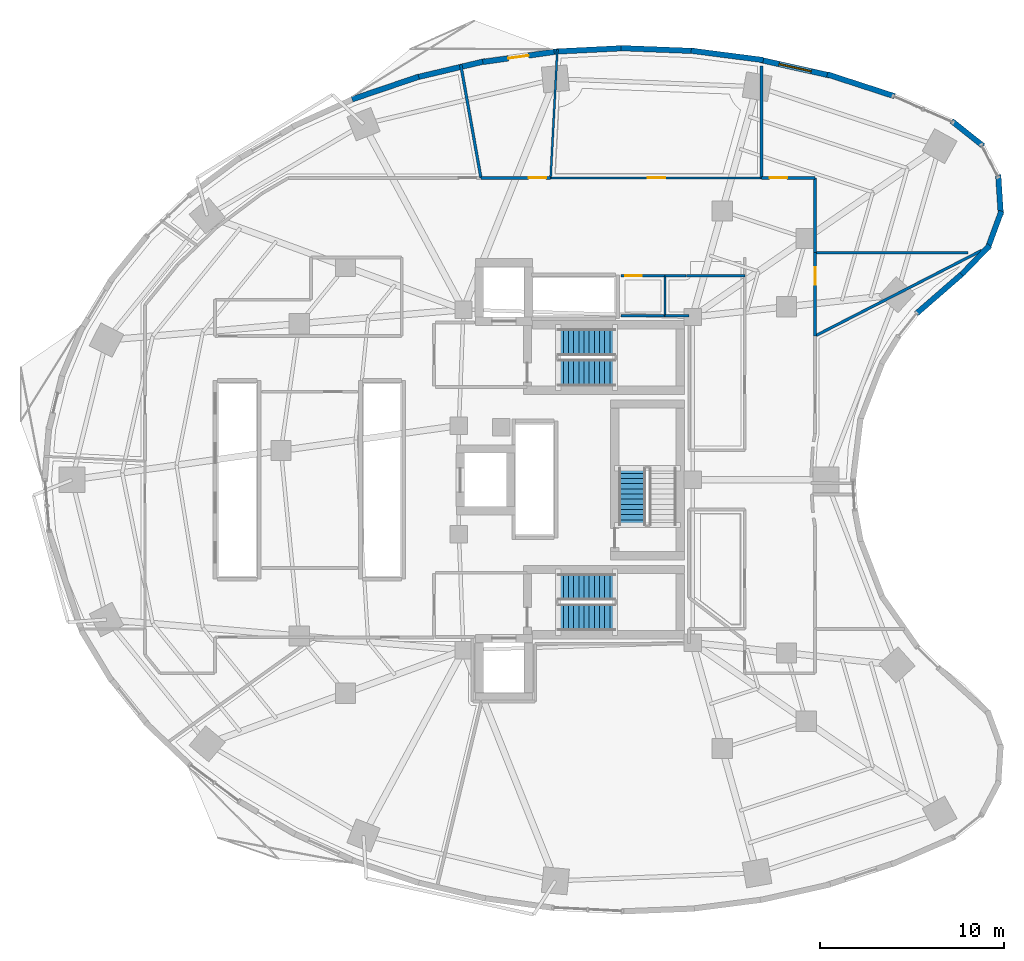
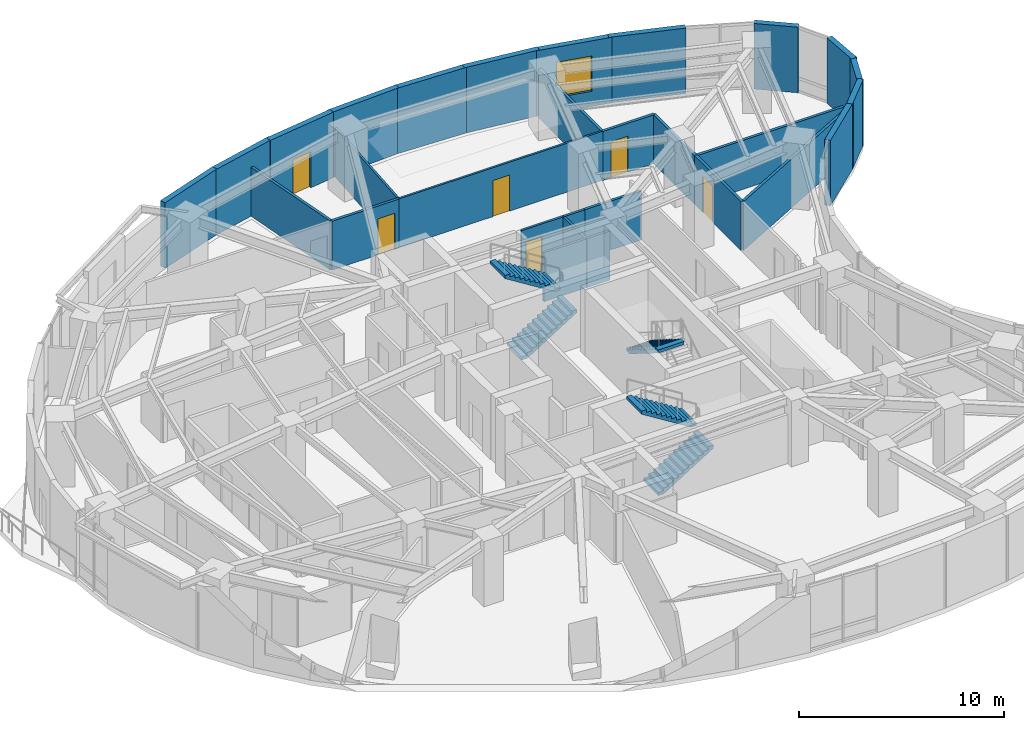
# One storey, part 11 of 15: 29 walls, 6 doors, 5 stair flights, 1 window, 7 openings, 3 elements without a shape of their own.
"""IFC4 building model written with IfcOpenShell, lengths in metres."""

from ifc_helpers import new_model, si_unit, direction, frame, frame_2d, origin, place, context, subcontext, project, spatial, polyline, rectangle, outline, extrude, material, layer, layer_set, type_object, element, fill, aggregate, save


model = new_model("IFC4")

# Units and contexts
model_context = context("Model", 3, precision=1e-05, world=origin(), true_north=direction((0.0, 1.0)))
body_context = subcontext(model_context, "Body", "Model", "MODEL_VIEW")
ifc_project = project(units=[si_unit("LENGTHUNIT", "METRE"), si_unit("AREAUNIT", "SQUARE_METRE"), si_unit("VOLUMEUNIT", "CUBIC_METRE"), si_unit("PLANEANGLEUNIT", "RADIAN"), si_unit("MASSUNIT", "GRAM", prefix="KILO")], contexts=[model_context])

# Site, building, storey
site_placement = place(None, origin())
site = spatial("IfcSite", under=ifc_project, at=site_placement, CompositionType="ELEMENT")
building_placement = place(site_placement, origin())
building = spatial("IfcBuilding", under=site, at=building_placement, Name="Korentha Bioscience Tower", CompositionType="ELEMENT")
storey_placement = place(building_placement, frame((0.0, 0.0, 34.199951171875)))
storey = spatial("IfcBuildingStorey", under=building, at=storey_placement, Name="L07", CompositionType="ELEMENT", Elevation=34.199951171875)

# Wall, opening, door
ifc_material_1 = material(Name="Double-Stud Acoustic Gypsum", Category="gypsum")
ifc_layer_1 = layer(ifc_material_1, 0.14990234375, Name="Double-Stud Acoustic Gypsum")
ifc_layer_set_1 = layer_set([ifc_layer_1], Name="Double-Stud Acoustic Gypsum (IW-L150)")
wall_type_1 = type_object("IfcWallType", Name="Acoustic Laboratory Partition Wall 150", PredefinedType="PARTITIONING", material=ifc_layer_set_1)
wall_1_placement = place(storey_placement, frame((44.2099609375, 34.829833984375, 0.0), z_axis=(0.0, 0.0, 1.0), x_axis=(0.0, 1.0, 0.0)))
wall_1 = element("IfcWall", 1, at=wall_1_placement, inside=storey, type_object=wall_type_1, Name="L07 Robotic Liquid-Handling Suite 09 Entrance Wall", PredefinedType="PARTITIONING", context=body_context, shape_type="SweptSolid", body=[
    extrude(rectangle(XDim=4.51806640625, YDim=0.14990234375, at=frame_2d((2.259033203125, 0.0))), origin(), (0.0, 0.0, 1.0), 2.91015625),
])
opening_1_placement = place(wall_1_placement, frame((2.77734375, 0.0, 0.0)))
opening_1 = element("IfcOpeningElement", 2, at=opening_1_placement, cuts=wall_1, Name="Opening ID-10L", PredefinedType="OPENING", context=body_context, shape_type="SweptSolid", body=[
    extrude(rectangle(XDim=0.949951171875, YDim=2.14990234375, at=frame_2d((0.47509765625, 1.074951171875))), frame((0.0, 0.08984375, 0.0), z_axis=(0.0, -1.0, 0.0), x_axis=(1.0, 0.0, 0.0)), (0.0, 0.0, 1.0), 0.1796875),
])
ifc_material_2 = material(Name="Phenolic Laminate Timber Core", Category="wood")
door_type_1 = type_object("IfcDoorType", Name="Laboratory Single Leaf Door 950x2150 Left", OperationType="SINGLE_SWING_LEFT", PredefinedType="DOOR", material=ifc_material_2)
door_1_placement = place(opening_1_placement, origin())
door_1 = element("IfcDoor", 3, at=door_1_placement, inside=storey, type_object=door_type_1, Name="L07 Robotic Liquid-Handling Suite 09 Door", OperationType="SINGLE_SWING_LEFT", OverallHeight=2.14990234375, OverallWidth=0.949951171875, PredefinedType="DOOR", context=body_context, shape_type="SweptSolid", body=[
    extrude(rectangle(XDim=0.949951171875, YDim=2.14990234375, at=frame_2d((0.47509765625, 1.074951171875))), frame((0.0, 0.02490234375, 0.0), z_axis=(0.0, -1.0, 0.0), x_axis=(1.0, 0.0, 0.0)), (0.0, 0.0, 1.0), 0.050048828125),
])
fill(opening_1, door_1)

wall_2_placement = place(storey_placement, frame((44.199951171875, 43.409912109375, 0.0), z_axis=(0.0, 0.0, 1.0), x_axis=(-1.0, 0.0, 0.0)))
wall_2 = element("IfcWall", 4, at=wall_2_placement, inside=storey, type_object=wall_type_1, Name="L07 Optical Metrology Darkroom 11 Entrance Wall", PredefinedType="PARTITIONING", context=body_context, shape_type="SweptSolid", body=[
    extrude(rectangle(XDim=2.89794921875, YDim=0.14990234375, at=frame_2d((1.448974609375, 0.0))), origin(), (0.0, 0.0, 1.0), 2.91015625),
])
opening_2_placement = place(wall_2_placement, frame((1.5126953125, 0.0, 0.0)))
opening_2 = element("IfcOpeningElement", 5, at=opening_2_placement, cuts=wall_2, Name="Opening ID-10L", PredefinedType="OPENING", context=body_context, shape_type="SweptSolid", body=[
    extrude(rectangle(XDim=0.949951171875, YDim=2.14990234375, at=frame_2d((0.47509765625, 1.074951171875))), frame((0.0, 0.08984375, 0.0), z_axis=(0.0, -1.0, 0.0), x_axis=(1.0, 0.0, 0.0)), (0.0, 0.0, 1.0), 0.1796875),
])
door_2_placement = place(opening_2_placement, origin())
door_2 = element("IfcDoor", 6, at=door_2_placement, inside=storey, type_object=door_type_1, Name="L07 Optical Metrology Darkroom 11 Door", OperationType="SINGLE_SWING_LEFT", OverallHeight=2.14990234375, OverallWidth=0.949951171875, PredefinedType="DOOR", context=body_context, shape_type="SweptSolid", body=[
    extrude(rectangle(XDim=0.949951171875, YDim=2.14990234375, at=frame_2d((0.47509765625, 1.074951171875))), frame((0.0, 0.02490234375, 0.0), z_axis=(0.0, -1.0, 0.0), x_axis=(1.0, 0.0, 0.0)), (0.0, 0.0, 1.0), 0.050048828125),
])
fill(opening_2, door_2)

wall_3_placement = place(storey_placement, frame((29.82568359375, 43.409912109375, 0.0), z_axis=(0.0, 0.0, 1.0), x_axis=(-1.0, 0.0, 0.0)))
wall_3 = element("IfcWall", 7, at=wall_3_placement, inside=storey, type_object=wall_type_1, Name="L07 Patent and Regulatory Affairs Office 13 Entrance Wall", PredefinedType="PARTITIONING", context=body_context, shape_type="SweptSolid", body=[
    extrude(rectangle(XDim=3.77734375, YDim=0.14990234375, at=frame_2d((1.888671875, 0.0))), origin(), (0.0, 0.0, 1.0), 2.91015625),
])
opening_3_placement = place(wall_3_placement, frame((0.239990234375, 0.0, 0.0)))
opening_3 = element("IfcOpeningElement", 8, at=opening_3_placement, cuts=wall_3, Name="Opening ID-10L", PredefinedType="OPENING", context=body_context, shape_type="SweptSolid", body=[
    extrude(rectangle(XDim=0.949951171875, YDim=2.14990234375, at=frame_2d((0.47509765625, 1.074951171875))), frame((0.0, 0.08984375, 0.0), z_axis=(0.0, -1.0, 0.0), x_axis=(1.0, 0.0, 0.0)), (0.0, 0.0, 1.0), 0.1796875),
])
door_3_placement = place(opening_3_placement, origin())
door_3 = element("IfcDoor", 9, at=door_3_placement, inside=storey, type_object=door_type_1, Name="L07 Patent and Regulatory Affairs Office 13 Door", OperationType="SINGLE_SWING_LEFT", OverallHeight=2.14990234375, OverallWidth=0.949951171875, PredefinedType="DOOR", context=body_context, shape_type="SweptSolid", body=[
    extrude(rectangle(XDim=0.949951171875, YDim=2.14990234375, at=frame_2d((0.47509765625, 1.074951171875))), frame((0.0, 0.02490234375, 0.0), z_axis=(0.0, -1.0, 0.0), x_axis=(1.0, 0.0, 0.0)), (0.0, 0.0, 1.0), 0.050048828125),
])
fill(opening_3, door_3)

# Walls
wall_4_placement = place(storey_placement, frame((44.2099609375, 34.818603515625, 0.0), z_axis=(0.0, 0.0, 1.0), x_axis=(0.889650018361, 0.456643016842, 0.0)))
element("IfcWall", 10, at=wall_4_placement, inside=storey, type_object=wall_type_1, Name="L07 Interior Partition 050", PredefinedType="PARTITIONING", context=body_context, shape_type="SweptSolid", body=[
    extrude(rectangle(XDim=10.17431640625, YDim=0.14990234375, at=frame_2d((5.087158203125, 0.0))), origin(), (0.0, 0.0, 1.0), 2.91015625),
])
wall_5_placement = place(storey_placement, frame((44.2099609375, 39.347900390625, 0.0), z_axis=(0.0, 0.0, 1.0), x_axis=(1.0, 0.0, 0.0)))
element("IfcWall", 11, at=wall_5_placement, inside=storey, type_object=wall_type_1, Name="L07 Interior Partition 051", PredefinedType="PARTITIONING", context=body_context, shape_type="SweptSolid", body=[
    extrude(rectangle(XDim=8.298583984375, YDim=0.14990234375, at=frame_2d((4.1494140625, 0.0))), origin(), (0.0, 0.0, 1.0), 2.91015625),
])
wall_6_placement = place(storey_placement, frame((44.2099609375, 39.35791015625, 0.0), z_axis=(0.0, 0.0, 1.0), x_axis=(0.0, 1.0, 0.0)))
element("IfcWall", 12, at=wall_6_placement, inside=storey, type_object=wall_type_1, Name="L07 Interior Partition 058", PredefinedType="PARTITIONING", context=body_context, shape_type="SweptSolid", body=[
    extrude(rectangle(XDim=4.0419921875, YDim=0.14990234375, at=frame_2d((2.02099609375, 0.0))), origin(), (0.0, 0.0, 1.0), 2.91015625),
])
wall_7_placement = place(storey_placement, frame((41.302001953125, 43.409912109375, 0.0), z_axis=(0.0, 0.0, 1.0), x_axis=(0.0, 1.0, 0.0)))
element("IfcWall", 13, at=wall_7_placement, inside=storey, type_object=wall_type_1, Name="L07 Interior Partition 059", PredefinedType="PARTITIONING", context=body_context, shape_type="SweptSolid", body=[
    extrude(rectangle(XDim=6.0908203125, YDim=0.14990234375, at=frame_2d((3.04541015625, 0.0))), origin(), (0.0, 0.0, 1.0), 2.91015625),
])
wall_8_placement = place(storey_placement, frame((26.04833984375, 43.409912109375, 0.0), z_axis=(0.0, 0.0, 1.0), x_axis=(-0.175605435055, 0.984460629573, 0.0)))
element("IfcWall", 14, at=wall_8_placement, inside=storey, type_object=wall_type_1, Name="L07 Interior Partition 061", PredefinedType="PARTITIONING", context=body_context, shape_type="SweptSolid", body=[
    extrude(rectangle(XDim=6.250732421875, YDim=0.14990234375, at=frame_2d((3.12548828125, 0.0))), origin(), (0.0, 0.0, 1.0), 2.91015625),
])
ifc_material_3 = material(Name="Insulated Aluminium Honeycomb Panel", Category="aluminium")
ifc_layer_2 = layer(ifc_material_3, 0.139892578125, Name="Insulated Aluminium Honeycomb Panel")
ifc_layer_set_2 = layer_set([ifc_layer_2], Name="Insulated Aluminium Honeycomb Panel (IW-F60)")
wall_type_2 = type_object("IfcWallType", Name="Cleanroom Flush Metal Panel Partition 140", PredefinedType="PARTITIONING", material=ifc_layer_set_2)
wall_9_placement = place(storey_placement, frame((36.06005859375, 38.090087890625, 0.0), z_axis=(0.0, 0.0, 1.0), x_axis=(1.0, 0.0, 0.0)))
element("IfcWall", 15, at=wall_9_placement, inside=storey, type_object=wall_type_2, Name="L07 Interior Partition 052", PredefinedType="PARTITIONING", context=body_context, shape_type="SweptSolid", body=[
    extrude(rectangle(XDim=1.139892578125, YDim=0.139892578125, at=frame_2d((0.56982421875, 0.0))), origin(), (0.0, 0.0, 1.0), 2.91015625),
])
wall_10_placement = place(storey_placement, frame((37.2099609375, 38.10009765625, 0.0), z_axis=(0.0, 0.0, 1.0), x_axis=(1.0, 0.0, 0.0)))
element("IfcWall", 16, at=wall_10_placement, inside=storey, type_object=wall_type_2, Name="L07 Interior Partition 054", PredefinedType="PARTITIONING", context=body_context, shape_type="SweptSolid", body=[
    extrude(rectangle(XDim=3.179931640625, YDim=0.139892578125, at=frame_2d((1.58984375, 0.0))), origin(), (0.0, 0.0, 1.0), 2.91015625),
])
wall_11_placement = place(storey_placement, frame((37.35009765625, 35.909912109375, 0.0), z_axis=(0.0, 0.0, 1.0), x_axis=(-1.0, 0.0, 0.0)))
element("IfcWall", 17, at=wall_11_placement, inside=storey, type_object=wall_type_2, Name="L07 Interior Partition 057", PredefinedType="PARTITIONING", context=body_context, shape_type="SweptSolid", body=[
    extrude(rectangle(XDim=1.2900390625, YDim=0.139892578125, at=frame_2d((0.64501953125, 0.0))), origin(), (0.0, 0.0, 1.0), 2.91015625),
])

# Wall, opening, door
ifc_material_4 = material(Name="Fire-Rated Framed Glass", Category="glass")
ifc_layer_3 = layer(ifc_material_4, 0.110107421875, Name="Fire-Rated Framed Glass")
ifc_layer_set_3 = layer_set([ifc_layer_3], Name="Fire-Rated Framed Glass (IW-G110)")
wall_type_3 = type_object("IfcWallType", Name="Demountable Glazed Office Partition 110", PredefinedType="MOVABLE", material=ifc_layer_set_3)
wall_12_placement = place(storey_placement, frame((41.2919921875, 43.409912109375, 0.0), z_axis=(0.0, 0.0, 1.0), x_axis=(-1.0, 0.0, 0.0)))
wall_12 = element("IfcWall", 18, at=wall_12_placement, inside=storey, type_object=wall_type_3, Name="L07 Visiting Faculty Study Office 12 Entrance Wall", PredefinedType="MOVABLE", context=body_context, shape_type="SweptSolid", body=[
    extrude(rectangle(XDim=11.456298828125, YDim=0.110107421875, at=frame_2d((5.72802734375, 0.0))), origin(), (0.0, 0.0, 1.0), 2.91015625),
])
opening_4_placement = place(wall_12_placement, frame((5.2392578125, 0.0, 0.0)))
opening_4 = element("IfcOpeningElement", 19, at=opening_4_placement, cuts=wall_12, Name="Opening ID-10R", PredefinedType="OPENING", context=body_context, shape_type="SweptSolid", body=[
    extrude(rectangle(XDim=0.949951171875, YDim=2.14990234375, at=frame_2d((0.47509765625, 1.074951171875))), frame((0.0, 0.06982421875, 0.0), z_axis=(0.0, -1.0, 0.0), x_axis=(1.0, 0.0, 0.0)), (0.0, 0.0, 1.0), 0.139892578125),
])
door_type_2 = type_object("IfcDoorType", Name="Laboratory Single Leaf Door 950x2150 Right", OperationType="SINGLE_SWING_RIGHT", PredefinedType="DOOR", material=ifc_material_2)
door_4_placement = place(opening_4_placement, origin())
door_4 = element("IfcDoor", 20, at=door_4_placement, inside=storey, type_object=door_type_2, Name="L07 Visiting Faculty Study Office 12 Door", OperationType="SINGLE_SWING_RIGHT", OverallHeight=2.14990234375, OverallWidth=0.949951171875, PredefinedType="DOOR", context=body_context, shape_type="SweptSolid", body=[
    extrude(rectangle(XDim=0.949951171875, YDim=2.14990234375, at=frame_2d((0.47509765625, 1.074951171875))), frame((0.0, 0.02490234375, 0.0), z_axis=(0.0, -1.0, 0.0), x_axis=(1.0, 0.0, 0.0)), (0.0, 0.0, 1.0), 0.050048828125),
])
fill(opening_4, door_4)

# Wall
wall_13_placement = place(storey_placement, frame((29.835693359375, 43.409912109375, 0.0), z_axis=(0.0, 0.0, 1.0), x_axis=(0.052328125399, 0.998629945121, 0.0)))
element("IfcWall", 21, at=wall_13_placement, inside=storey, type_object=wall_type_3, Name="L07 Interior Partition 060", PredefinedType="MOVABLE", context=body_context, shape_type="SweptSolid", body=[
    extrude(rectangle(XDim=6.998291015625, YDim=0.110107421875, at=frame_2d((3.4990234375, 0.0))), origin(), (0.0, 0.0, 1.0), 2.91015625),
])

# Wall, opening, window
ifc_material_5 = material(Name="Honed Limestone Precast Concrete C40", Category="masonry")
ifc_layer_4 = layer(ifc_material_5, 0.300048828125, Name="Honed Limestone Precast Concrete C40")
ifc_layer_set_4 = layer_set([ifc_layer_4], Name="Honed Limestone Precast Concrete C40 (EW-ST300)")
wall_type_4 = type_object("IfcWallType", Name="Honed Limestone Cavity Spandrel Wall 300", PredefinedType="STANDARD", material=ifc_layer_set_4)
wall_14_placement = place(storey_placement, frame((45.015869140625, 48.97607421875, 0.0), z_axis=(0.0, 0.0, 1.0), x_axis=(-0.9758772609, 0.218319883791, 0.0)))
wall_14 = element("IfcWall", 22, at=wall_14_placement, inside=storey, type_object=wall_type_4, Name="L07 Honed Limestone Spandrel Wall 03", PredefinedType="STANDARD", context=body_context, shape_type="SweptSolid", body=[
    extrude(rectangle(XDim=3.869140625, YDim=0.300048828125, at=frame_2d((1.9345703125, 0.0))), origin(), (0.0, 0.0, 1.0), 3.900146484375),
])
opening_5_placement = place(wall_14_placement, frame((1.034423828125, 0.0, 0.89990234375)))
opening_5 = element("IfcOpeningElement", 23, at=opening_5_placement, cuts=wall_14, Name="Opening WN-01", PredefinedType="OPENING", context=body_context, shape_type="SweptSolid", body=[
    extrude(rectangle(XDim=1.800048828125, YDim=2.10009765625, at=frame_2d((0.89990234375, 1.050048828125))), frame((0.0, 0.1650390625, 0.0), z_axis=(0.0, -1.0, 0.0), x_axis=(1.0, 0.0, 0.0)), (0.0, 0.0, 1.0), 0.329833984375),
])
ifc_material_6 = material(Name="Thermally Broken Aluminium Triple Glazing", Category="aluminium")
window_type = type_object("IfcWindowType", Name="Triple-Glazed Fixed Bioscience Window 1800x2100", PartitioningType="SINGLE_PANEL", PredefinedType="WINDOW", material=ifc_material_6)
window_placement = place(opening_5_placement, origin())
window = element("IfcWindow", 24, at=window_placement, inside=storey, type_object=window_type, Name="L07 Facade Window 03", OverallHeight=2.10009765625, OverallWidth=1.800048828125, PartitioningType="SINGLE_PANEL", PredefinedType="WINDOW", context=body_context, shape_type="SweptSolid", body=[
    extrude(rectangle(XDim=1.800048828125, YDim=2.10009765625, at=frame_2d((0.89990234375, 1.050048828125))), frame((0.0, 0.030029296875, 0.0), z_axis=(0.0, -1.0, 0.0), x_axis=(1.0, 0.0, 0.0)), (0.0, 0.0, 1.0), 0.06005859375),
])
fill(opening_5, window)

# Wall, opening, door
wall_15_placement = place(storey_placement, frame((30.022705078125, 50.257080078125, 0.0), z_axis=(0.0, 0.0, 1.0), x_axis=(-0.990165573956, -0.139900450869, 0.0)))
wall_15 = element("IfcWall", 25, at=wall_15_placement, inside=storey, type_object=wall_type_4, Name="L07 Balcony Threshold Wall 01", PredefinedType="STANDARD", context=body_context, shape_type="SweptSolid", body=[
    extrude(rectangle(XDim=3.910888671875, YDim=0.300048828125, at=frame_2d((1.95556640625, 0.0))), origin(), (0.0, 0.0, 1.0), 3.900146484375),
])
opening_6_placement = place(wall_15_placement, frame((1.405517578125, 0.0, 0.0)))
opening_6 = element("IfcOpeningElement", 26, at=opening_6_placement, cuts=wall_15, Name="Opening BD-11L", PredefinedType="OPENING", context=body_context, shape_type="SweptSolid", body=[
    extrude(rectangle(XDim=1.10009765625, YDim=2.14990234375, at=frame_2d((0.550048828125, 1.074951171875))), frame((0.0, 0.1650390625, 0.0), z_axis=(0.0, -1.0, 0.0), x_axis=(1.0, 0.0, 0.0)), (0.0, 0.0, 1.0), 0.329833984375),
])
ifc_material_7 = material(Name="Thermally Broken Glazed Aluminium", Category="aluminium")
door_type_3 = type_object("IfcDoorType", Name="Balcony Terrace Glazed Door 1100x2150 Left", OperationType="SINGLE_SWING_LEFT", PredefinedType="DOOR", material=ifc_material_7)
door_5_placement = place(opening_6_placement, origin())
door_5 = element("IfcDoor", 27, at=door_5_placement, inside=storey, type_object=door_type_3, Name="L07 Balcony Access Door 01", OperationType="SINGLE_SWING_LEFT", OverallHeight=2.14990234375, OverallWidth=1.10009765625, PredefinedType="DOOR", context=body_context, shape_type="SweptSolid", body=[
    extrude(rectangle(XDim=1.10009765625, YDim=2.14990234375, at=frame_2d((0.550048828125, 1.074951171875))), frame((0.0, 0.02490234375, 0.0), z_axis=(0.0, -1.0, 0.0), x_axis=(1.0, 0.0, 0.0)), (0.0, 0.0, 1.0), 0.050048828125),
])
fill(opening_6, door_5)

# Walls
wall_16_placement = place(storey_placement, frame((48.524658203125, 47.84912109375, 0.0), z_axis=(0.0, 0.0, 1.0), x_axis=(-0.950965833732, 0.309295947393, 0.0)))
element("IfcWall", 28, at=wall_16_placement, inside=storey, type_object=wall_type_4, Name="L07 Limestone Perimeter Closure Wall 02", PredefinedType="STANDARD", context=body_context, shape_type="SweptSolid", body=[
    extrude(rectangle(XDim=3.840087890625, YDim=0.300048828125, at=frame_2d((1.919921875, 0.0))), origin(), (0.0, 0.0, 1.0), 3.900146484375),
])
wall_17_placement = place(storey_placement, frame((41.39501953125, 49.814697265625, 0.0), z_axis=(0.0, 0.0, 1.0), x_axis=(-0.991734095036, 0.128310111617, 0.0)))
element("IfcWall", 29, at=wall_17_placement, inside=storey, type_object=wall_type_4, Name="L07 Limestone Perimeter Closure Wall 04", PredefinedType="STANDARD", context=body_context, shape_type="SweptSolid", body=[
    extrude(rectangle(XDim=3.955810546875, YDim=0.300048828125, at=frame_2d((1.97802734375, 0.0))), origin(), (0.0, 0.0, 1.0), 3.900146484375),
])
wall_18_placement = place(storey_placement, frame((37.643798828125, 50.307861328125, 0.0), z_axis=(0.0, 0.0, 1.0), x_axis=(-0.999245411623, 0.038840794937, 0.0)))
element("IfcWall", 30, at=wall_18_placement, inside=storey, type_object=wall_type_4, Name="L07 Limestone Perimeter Closure Wall 05", PredefinedType="STANDARD", context=body_context, shape_type="SweptSolid", body=[
    extrude(rectangle(XDim=3.978759765625, YDim=0.300048828125, at=frame_2d((1.9892578125, 0.0))), origin(), (0.0, 0.0, 1.0), 3.900146484375),
])
wall_19_placement = place(storey_placement, frame((33.84033203125, 50.46337890625, 0.0), z_axis=(0.0, 0.0, 1.0), x_axis=(-0.998732359232, -0.050335619826, 0.0)))
element("IfcWall", 31, at=wall_19_placement, inside=storey, type_object=wall_type_4, Name="L07 Limestone Perimeter Closure Wall 06", PredefinedType="STANDARD", context=body_context, shape_type="SweptSolid", body=[
    extrude(rectangle(XDim=3.977294921875, YDim=0.300048828125, at=frame_2d((1.98876953125, 0.0))), origin(), (0.0, 0.0, 1.0), 3.900146484375),
])
wall_20_placement = place(storey_placement, frame((26.29736328125, 49.7587890625, 0.0), z_axis=(0.0, 0.0, 1.0), x_axis=(-0.973197600754, -0.229970497863, 0.0)))
element("IfcWall", 32, at=wall_20_placement, inside=storey, type_object=wall_type_4, Name="L07 Limestone Perimeter Closure Wall 08", PredefinedType="STANDARD", context=body_context, shape_type="SweptSolid", body=[
    extrude(rectangle(XDim=3.9013671875, YDim=0.300048828125, at=frame_2d((1.95068359375, 0.0))), origin(), (0.0, 0.0, 1.0), 3.900146484375),
])
wall_21_placement = place(storey_placement, frame((22.6669921875, 48.9091796875, 0.0), z_axis=(0.0, 0.0, 1.0), x_axis=(-0.94702579403, -0.321157508773, 0.0)))
element("IfcWall", 33, at=wall_21_placement, inside=storey, type_object=wall_type_4, Name="L07 Limestone Perimeter Closure Wall 09", PredefinedType="STANDARD", context=body_context, shape_type="SweptSolid", body=[
    extrude(rectangle(XDim=3.829833984375, YDim=0.300048828125, at=frame_2d((1.9150390625, 0.0))), origin(), (0.0, 0.0, 1.0), 3.900146484375),
])
wall_22_placement = place(storey_placement, frame((49.708984375, 36.029296875, 0.0), z_axis=(0.0, 0.0, 1.0), x_axis=(0.754746490246, 0.656016566454, 0.0)))
element("IfcWall", 34, at=wall_22_placement, inside=storey, type_object=wall_type_4, Name="L07 Limestone Perimeter Closure Wall 56", PredefinedType="STANDARD", context=body_context, shape_type="SweptSolid", body=[
    extrude(rectangle(XDim=3.4296875, YDim=0.300048828125, at=frame_2d((1.71484375, 0.0))), origin(), (0.0, 0.0, 1.0), 3.900146484375),
])
wall_23_placement = place(storey_placement, frame((52.1728515625, 38.1611328125, 0.0), z_axis=(0.0, 0.0, 1.0), x_axis=(0.695404695719, 0.718618333451, 0.0)))
element("IfcWall", 35, at=wall_23_placement, inside=storey, type_object=wall_type_4, Name="L07 Limestone Perimeter Closure Wall 58", PredefinedType="STANDARD", context=body_context, shape_type="SweptSolid", body=[
    extrude(rectangle(XDim=2.1875, YDim=0.300048828125, at=frame_2d((1.09375, 0.0))), origin(), (0.0, 0.0, 1.0), 3.900146484375),
])
for number, where, z_axis, x_axis, name in (
    (36, (53.580078125, 39.551513671875, 0.0), (0.0, 0.0, 1.0), (0.344939866054, 0.938624785954, 0.0), "L07 Limestone Perimeter Closure Wall 59"),
    (37, (54.303955078125, 41.392578125, 0.0), (0.0, 0.0, 1.0), (-0.064615302336, 0.99791024782, 0.0), "L07 Limestone Perimeter Closure Wall 60"),
    (38, (53.343994140625, 45.142822265625, 0.0), (0.0, 0.0, 1.0), (-0.782282158644, 0.622924252432, 0.0), "L07 Limestone Perimeter Closure Wall 62"),
):
    element("IfcWall", number, at=place(storey_placement, frame(where, z_axis=z_axis, x_axis=x_axis)), inside=storey, type_object=wall_type_4, Name=name, PredefinedType="STANDARD", context=body_context, shape_type="SweptSolid", body=[
        extrude(rectangle(XDim=2.187744140625, YDim=0.300048828125, at=frame_2d((1.09375, 0.0))), origin(), (0.0, 0.0, 1.0), 3.900146484375),
    ])

# Wall, opening, door
ifc_material_8 = material(Name="Cement-Board Steel Stud", Category="steel")
ifc_layer_5 = layer(ifc_material_8, 0.1298828125, Name="Cement-Board Steel Stud")
ifc_layer_set_5 = layer_set([ifc_layer_5], Name="Cement-Board Steel Stud (IW-W130)")
wall_type_5 = type_object("IfcWallType", Name="Wet-Area Moisture-Resistant Partition 130", PredefinedType="PARTITIONING", material=ifc_layer_set_5)
wall_24_placement = place(storey_placement, frame((33.64990234375, 38.090087890625, 0.0), z_axis=(0.0, 0.0, 1.0), x_axis=(1.0, 0.0, 0.0)))
wall_24 = element("IfcWall", 39, at=wall_24_placement, inside=storey, type_object=wall_type_5, Name="L07 Accessible Staff WC Entrance Wall", PredefinedType="PARTITIONING", context=body_context, shape_type="SweptSolid", body=[
    extrude(rectangle(XDim=2.400146484375, YDim=0.1298828125, at=frame_2d((1.2001953125, 0.0))), origin(), (0.0, 0.0, 1.0), 2.91015625),
])
opening_7_placement = place(wall_24_placement, frame((0.239990234375, 0.0, 0.0)))
opening_7 = element("IfcOpeningElement", 40, at=opening_7_placement, cuts=wall_24, Name="Opening ID-09R", PredefinedType="OPENING", context=body_context, shape_type="SweptSolid", body=[
    extrude(rectangle(XDim=0.89990234375, YDim=2.14990234375, at=frame_2d((0.449951171875, 1.074951171875))), frame((0.0, 0.079833984375, 0.0), z_axis=(0.0, -1.0, 0.0), x_axis=(1.0, 0.0, 0.0)), (0.0, 0.0, 1.0), 0.15966796875),
])
ifc_material_9 = material(Name="Moisture-Resistant HPL Leaf", Category="wood")
door_type_4 = type_object("IfcDoorType", Name="Restroom & Accessible WC Door 900x2150 Right", OperationType="SINGLE_SWING_RIGHT", PredefinedType="DOOR", material=ifc_material_9)
door_6_placement = place(opening_7_placement, origin())
door_6 = element("IfcDoor", 41, at=door_6_placement, inside=storey, type_object=door_type_4, Name="L07 Accessible Staff WC Door", OperationType="SINGLE_SWING_RIGHT", OverallHeight=2.14990234375, OverallWidth=0.89990234375, PredefinedType="DOOR", context=body_context, shape_type="SweptSolid", body=[
    extrude(rectangle(XDim=0.89990234375, YDim=2.14990234375, at=frame_2d((0.449951171875, 1.074951171875))), frame((0.0, 0.02490234375, 0.0), z_axis=(0.0, -1.0, 0.0), x_axis=(1.0, 0.0, 0.0)), (0.0, 0.0, 1.0), 0.050048828125),
])
fill(opening_7, door_6)

# Walls
wall_25_placement = place(storey_placement, frame((36.050048828125, 35.909912109375, 0.0), z_axis=(0.0, 0.0, 1.0), x_axis=(-1.0, 0.0, 0.0)))
element("IfcWall", 42, at=wall_25_placement, inside=storey, type_object=wall_type_5, Name="L07 Interior Partition 018", PredefinedType="PARTITIONING", context=body_context, shape_type="SweptSolid", body=[
    extrude(rectangle(XDim=2.400146484375, YDim=0.1298828125, at=frame_2d((1.2001953125, 0.0))), origin(), (0.0, 0.0, 1.0), 2.91015625),
])
wall_26_placement = place(storey_placement, frame((36.050048828125, 38.090087890625, 0.0), z_axis=(0.0, 0.0, 1.0), x_axis=(0.0, -1.0, 0.0)))
element("IfcWall", 43, at=wall_26_placement, inside=storey, type_object=wall_type_5, Name="L07 Interior Partition 019", PredefinedType="PARTITIONING", context=body_context, shape_type="SweptSolid", body=[
    extrude(rectangle(XDim=2.18017578125, YDim=0.1298828125, at=frame_2d((1.090087890625, 0.0))), origin(), (0.0, 0.0, 1.0), 2.91015625),
])

# Stair, stair flights
ifc_material_10 = material(Name="Precast Concrete C50", Category="concrete")
stair_type = type_object("IfcStairType", Name="Core Exit Dog-Leg Stair 1450", PredefinedType="HALF_TURN_STAIR", material=ifc_material_10)
stair_1_placement = place(storey_placement, origin())
stair_1 = element("IfcStair", 44, at=stair_1_placement, inside=storey, type_object=stair_type, Name="L07 Tower North Pressurized Exit Stair ST-1", PredefinedType="HALF_TURN_STAIR")
stair_flight_type = type_object("IfcStairFlightType", Name="Core Exit Dog-Leg Stair 1450 Flight", PredefinedType="STRAIGHT", material=ifc_material_10)
stair_flight_1_placement = place(storey_placement, frame((30.25, 32.824951171875, 0.0), z_axis=(0.0, 0.0, 1.0), x_axis=(1.0, 0.0, 0.0)))
stair_flight_1 = element("IfcStairFlight", 45, at=stair_flight_1_placement, type_object=stair_flight_type, Name="ST-1 flight 1", NumberOfRisers=12, NumberOfTreads=11, PredefinedType="STRAIGHT", RiserHeight=0.175, TreadLength=0.28, context=body_context, shape_type="SweptSolid", body=[
    extrude(outline(polyline([(0.0, 0.0), (0.0, 0.175048828125), (0.280029296875, 0.175048828125), (0.280029296875, 0.35009765625), (0.56005859375, 0.35009765625), (0.56005859375, 0.52490234375), (0.840087890625, 0.52490234375), (0.840087890625, 0.699951171875), (1.1201171875, 0.699951171875), (1.1201171875, 0.875), (1.39990234375, 0.875), (1.39990234375, 1.050048828125), (1.679931640625, 1.050048828125), (1.679931640625, 1.22509765625), (1.9599609375, 1.22509765625), (1.9599609375, 1.39990234375), (2.239990234375, 1.39990234375), (2.239990234375, 1.574951171875), (2.52001953125, 1.574951171875), (2.52001953125, 1.75), (2.800048828125, 1.75), (2.800048828125, 1.925048828125), (3.080078125, 1.925048828125), (3.080078125, 2.10009765625), (3.080078125, 1.736328125), (0.3017578125, 0.0), (0.0, 0.0)])), frame((0.0, 0.72509765625, 0.0), z_axis=(0.0, -1.0, 0.0), x_axis=(1.0, 0.0, 0.0)), (0.0, 0.0, 1.0), 1.449951171875),
])
stair_flight_2_placement = place(storey_placement, frame((33.330078125, 34.47509765625, 2.10009765625), z_axis=(0.0, 0.0, 1.0), x_axis=(-1.0, 0.0, 0.0)))
stair_flight_2 = element("IfcStairFlight", 46, at=stair_flight_2_placement, type_object=stair_flight_type, Name="ST-1 flight 2", NumberOfRisers=12, NumberOfTreads=11, PredefinedType="STRAIGHT", RiserHeight=0.175, TreadLength=0.28, context=body_context, shape_type="SweptSolid", body=[
    extrude(outline(polyline([(0.0, 0.0), (0.0, 0.175048828125), (0.280029296875, 0.175048828125), (0.280029296875, 0.35009765625), (0.56005859375, 0.35009765625), (0.56005859375, 0.52490234375), (0.840087890625, 0.52490234375), (0.840087890625, 0.699951171875), (1.1201171875, 0.699951171875), (1.1201171875, 0.875), (1.39990234375, 0.875), (1.39990234375, 1.050048828125), (1.679931640625, 1.050048828125), (1.679931640625, 1.22509765625), (1.9599609375, 1.22509765625), (1.9599609375, 1.39990234375), (2.239990234375, 1.39990234375), (2.239990234375, 1.574951171875), (2.52001953125, 1.574951171875), (2.52001953125, 1.75), (2.800048828125, 1.75), (2.800048828125, 1.925048828125), (3.080078125, 1.925048828125), (3.080078125, 2.10009765625), (3.080078125, 1.736328125), (0.3017578125, 0.0), (0.0, 0.0)])), frame((0.0, 0.72509765625, 0.0), z_axis=(0.0, -1.0, 0.0), x_axis=(1.0, 0.0, 0.0)), (0.0, 0.0, 1.0), 1.449951171875),
])
aggregate(stair_1, [stair_flight_1, stair_flight_2])

stair_2_placement = place(storey_placement, origin())
stair_2 = element("IfcStair", 47, at=stair_2_placement, inside=storey, type_object=stair_type, Name="L07 Tower South Pressurized Exit Stair ST-2", PredefinedType="HALF_TURN_STAIR")
stair_flight_3_placement = place(storey_placement, frame((30.25, 19.52490234375, 0.0), z_axis=(0.0, 0.0, 1.0), x_axis=(1.0, 0.0, 0.0)))
stair_flight_3 = element("IfcStairFlight", 48, at=stair_flight_3_placement, type_object=stair_flight_type, Name="ST-2 flight 1", NumberOfRisers=12, NumberOfTreads=11, PredefinedType="STRAIGHT", RiserHeight=0.175, TreadLength=0.28, context=body_context, shape_type="SweptSolid", body=[
    extrude(outline(polyline([(0.0, 0.0), (0.0, 0.175048828125), (0.280029296875, 0.175048828125), (0.280029296875, 0.35009765625), (0.56005859375, 0.35009765625), (0.56005859375, 0.52490234375), (0.840087890625, 0.52490234375), (0.840087890625, 0.699951171875), (1.1201171875, 0.699951171875), (1.1201171875, 0.875), (1.39990234375, 0.875), (1.39990234375, 1.050048828125), (1.679931640625, 1.050048828125), (1.679931640625, 1.22509765625), (1.9599609375, 1.22509765625), (1.9599609375, 1.39990234375), (2.239990234375, 1.39990234375), (2.239990234375, 1.574951171875), (2.52001953125, 1.574951171875), (2.52001953125, 1.75), (2.800048828125, 1.75), (2.800048828125, 1.925048828125), (3.080078125, 1.925048828125), (3.080078125, 2.10009765625), (3.080078125, 1.736328125), (0.3017578125, 0.0), (0.0, 0.0)])), frame((0.0, 0.72509765625, 0.0), z_axis=(0.0, -1.0, 0.0), x_axis=(1.0, 0.0, 0.0)), (0.0, 0.0, 1.0), 1.449951171875),
])
stair_flight_4_placement = place(storey_placement, frame((33.330078125, 21.175048828125, 2.10009765625), z_axis=(0.0, 0.0, 1.0), x_axis=(-1.0, 0.0, 0.0)))
stair_flight_4 = element("IfcStairFlight", 49, at=stair_flight_4_placement, type_object=stair_flight_type, Name="ST-2 flight 2", NumberOfRisers=12, NumberOfTreads=11, PredefinedType="STRAIGHT", RiserHeight=0.175, TreadLength=0.28, context=body_context, shape_type="SweptSolid", body=[
    extrude(outline(polyline([(0.0, 0.0), (0.0, 0.175048828125), (0.280029296875, 0.175048828125), (0.280029296875, 0.35009765625), (0.56005859375, 0.35009765625), (0.56005859375, 0.52490234375), (0.840087890625, 0.52490234375), (0.840087890625, 0.699951171875), (1.1201171875, 0.699951171875), (1.1201171875, 0.875), (1.39990234375, 0.875), (1.39990234375, 1.050048828125), (1.679931640625, 1.050048828125), (1.679931640625, 1.22509765625), (1.9599609375, 1.22509765625), (1.9599609375, 1.39990234375), (2.239990234375, 1.39990234375), (2.239990234375, 1.574951171875), (2.52001953125, 1.574951171875), (2.52001953125, 1.75), (2.800048828125, 1.75), (2.800048828125, 1.925048828125), (3.080078125, 1.925048828125), (3.080078125, 2.10009765625), (3.080078125, 1.736328125), (0.3017578125, 0.0), (0.0, 0.0)])), frame((0.0, 0.72509765625, 0.0), z_axis=(0.0, -1.0, 0.0), x_axis=(1.0, 0.0, 0.0)), (0.0, 0.0, 1.0), 1.449951171875),
])
aggregate(stair_2, [stair_flight_3, stair_flight_4])

# Stair, stair flight
stair_3_placement = place(storey_placement, origin())
stair_3 = element("IfcStair", 50, at=stair_3_placement, inside=storey, type_object=stair_type, Name="L07 Tower Central Pressurized Exit Stair ST-3", PredefinedType="HALF_TURN_STAIR")
stair_flight_5_placement = place(storey_placement, frame((34.27490234375, 27.6298828125, 2.10009765625), z_axis=(0.0, 0.0, 1.0), x_axis=(0.0, -1.0, 0.0)))
stair_flight_5 = element("IfcStairFlight", 51, at=stair_flight_5_placement, type_object=stair_flight_type, Name="ST-3 flight 2", NumberOfRisers=12, NumberOfTreads=11, PredefinedType="STRAIGHT", RiserHeight=0.175, TreadLength=0.28, context=body_context, shape_type="SweptSolid", body=[
    extrude(outline(polyline([(0.0, 0.0), (0.0, 0.175048828125), (0.280029296875, 0.175048828125), (0.280029296875, 0.35009765625), (0.56005859375, 0.35009765625), (0.56005859375, 0.52490234375), (0.840087890625, 0.52490234375), (0.840087890625, 0.699951171875), (1.1201171875, 0.699951171875), (1.1201171875, 0.875), (1.39990234375, 0.875), (1.39990234375, 1.050048828125), (1.679931640625, 1.050048828125), (1.679931640625, 1.22509765625), (1.9599609375, 1.22509765625), (1.9599609375, 1.39990234375), (2.239990234375, 1.39990234375), (2.239990234375, 1.574951171875), (2.52001953125, 1.574951171875), (2.52001953125, 1.75), (2.800048828125, 1.75), (2.800048828125, 1.925048828125), (3.080078125, 1.925048828125), (3.080078125, 2.10009765625), (3.080078125, 1.736328125), (0.3017578125, 0.0), (0.0, 0.0)])), frame((0.0, 0.72509765625, 0.0), z_axis=(0.0, -1.0, 0.0), x_axis=(1.0, 0.0, 0.0)), (0.0, 0.0, 1.0), 1.449951171875),
])
aggregate(stair_3, [stair_flight_5])

save(model, "model.ifc")
